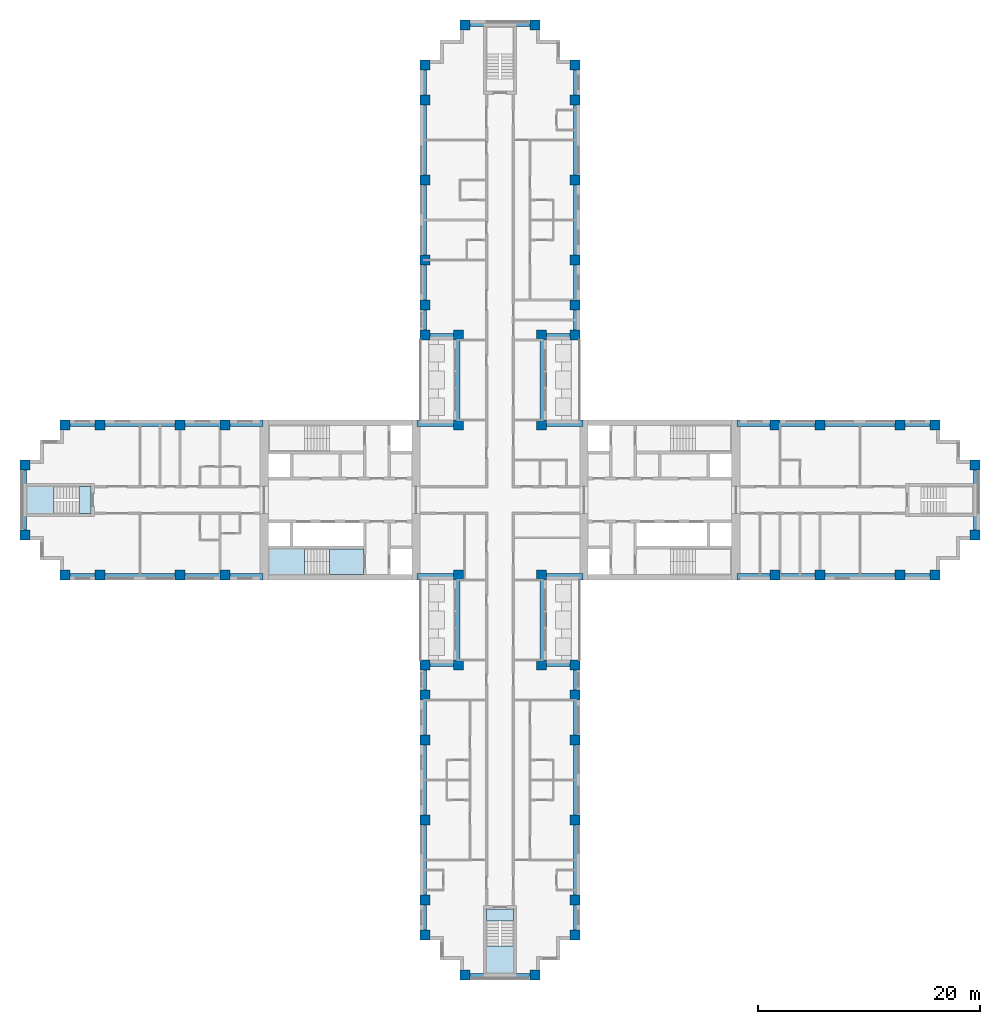
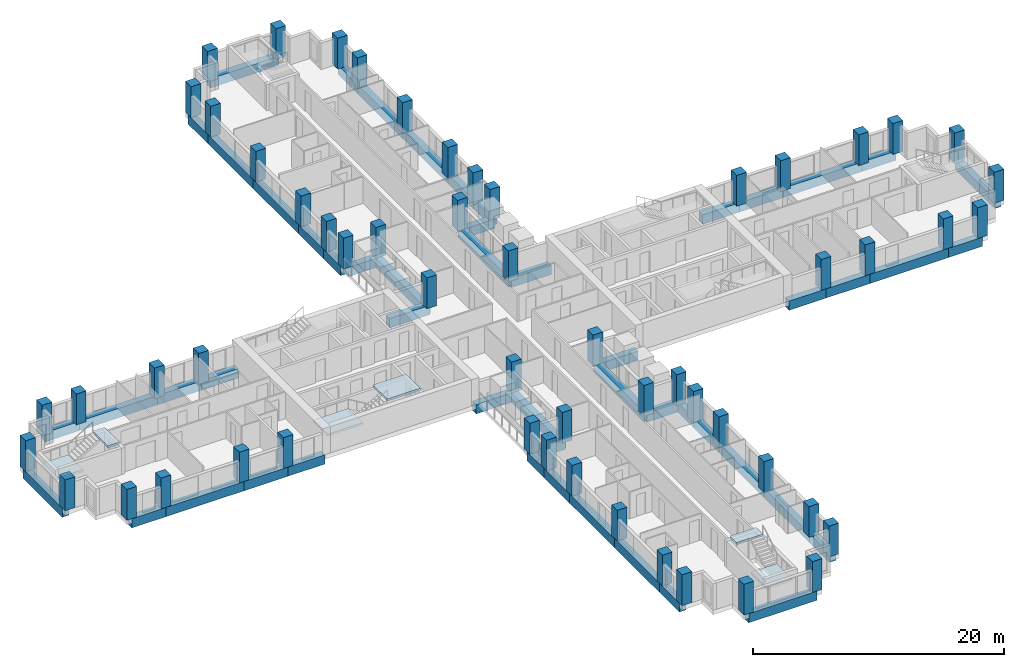
# One storey, part 1 of 15: 56 columns, 52 beams, 6 slabs, 3 elements without a shape of their own.
"""IFC4 building model written with IfcOpenShell, lengths in metres."""

from ifc_helpers import new_model, si_unit, direction, frame, origin, origin_2d, place, context, subcontext, project, spatial, polyline, rectangle, outline, extrude, material, layer, layer_set, material_profile, profile_set, type_object, element, aggregate, save


model = new_model("IFC4")

# Units and contexts
model_context = context("Model", 3, precision=1e-05, world=origin(), true_north=direction((0.0, 1.0)))
body_context = subcontext(model_context, "Body", "Model", "MODEL_VIEW")
ifc_project = project(units=[si_unit("LENGTHUNIT", "METRE"), si_unit("AREAUNIT", "SQUARE_METRE"), si_unit("VOLUMEUNIT", "CUBIC_METRE"), si_unit("PLANEANGLEUNIT", "RADIAN"), si_unit("MASSUNIT", "GRAM", prefix="KILO")], contexts=[model_context])

# Site, building, storey
site_placement = place(None, origin())
site = spatial("IfcSite", under=ifc_project, at=site_placement, CompositionType="ELEMENT")
building_placement = place(site_placement, origin())
building = spatial("IfcBuilding", under=site, at=building_placement, Name="Fustian Cross Tower", CompositionType="ELEMENT")
storey_placement = place(building_placement, frame((0.0, 0.0, 50.699951171875)))
storey = spatial("IfcBuildingStorey", under=building, at=storey_placement, Name="L15", CompositionType="ELEMENT", Elevation=50.699951171875)

# Columns
ifc_material_1 = material(Name="Concrete C70/85", Category="concrete")
ifc_material_profile_1 = material_profile(ifc_material_1, rectangle(XDim=0.89990234375, YDim=0.89990234375, at=origin_2d()), Name="RC 900x900")
ifc_profile_set_1 = profile_set([ifc_material_profile_1], Name="Concrete C70/85")
column_type = type_object("IfcColumnType", Name="COLUMN RC 900x900 C70/85", PredefinedType="COLUMN", material=ifc_profile_set_1)
for number, where, z_axis, x_axis, name in (
    (1, (-42.75, -3.14990234375, 0.0), (0.0, 0.0, 1.0), (1.0, 0.0, 0.0), "COLUMN 001"),
    (2, (-42.75, 3.14990234375, 0.0), (0.0, 0.0, 1.0), (1.0, 0.0, 0.0), "COLUMN 002"),
    (3, (-39.14990234375, -6.75, 0.0), (0.0, 0.0, 1.0), (1.0, 0.0, 0.0), "COLUMN 003"),
    (4, (-39.14990234375, 6.75, 0.0), (0.0, 0.0, 1.0), (1.0, 0.0, 0.0), "COLUMN 004"),
    (5, (-36.0, -6.75, 0.0), (0.0, 0.0, 1.0), (1.0, 0.0, 0.0), "COLUMN 005"),
    (6, (-36.0, 6.75, 0.0), (0.0, 0.0, 1.0), (1.0, 0.0, 0.0), "COLUMN 006"),
    (7, (-28.800048828125, -6.75, 0.0), (0.0, 0.0, 1.0), (1.0, 0.0, 0.0), "COLUMN 007"),
    (8, (-28.800048828125, 6.75, 0.0), (0.0, 0.0, 1.0), (1.0, 0.0, 0.0), "COLUMN 010"),
    (9, (-24.75, -6.75, 0.0), (0.0, 0.0, 1.0), (1.0, 0.0, 0.0), "COLUMN 011"),
    (10, (-24.75, 6.75, 0.0), (0.0, 0.0, 1.0), (1.0, 0.0, 0.0), "COLUMN 012"),
    (11, (-6.75, -39.14990234375, 0.0), (0.0, 0.0, 1.0), (1.0, 0.0, 0.0), "COLUMN 013"),
    (12, (-6.75, -36.0, 0.0), (0.0, 0.0, 1.0), (1.0, 0.0, 0.0), "COLUMN 014"),
    (13, (-6.75, -28.800048828125, 0.0), (0.0, 0.0, 1.0), (1.0, 0.0, 0.0), "COLUMN 015"),
    (14, (-6.75, -21.60009765625, 0.0), (0.0, 0.0, 1.0), (1.0, 0.0, 0.0), "COLUMN 016"),
    (15, (-6.75, -17.550048828125, 0.0), (0.0, 0.0, 1.0), (1.0, 0.0, 0.0), "COLUMN 017"),
    (16, (-6.75, -14.85009765625, 0.0), (0.0, 0.0, 1.0), (1.0, 0.0, 0.0), "COLUMN 018"),
    (17, (-6.75, 14.85009765625, 0.0), (0.0, 0.0, 1.0), (1.0, 0.0, 0.0), "COLUMN 019"),
    (18, (-6.75, 17.550048828125, 0.0), (0.0, 0.0, 1.0), (1.0, 0.0, 0.0), "COLUMN 020"),
    (19, (-6.75, 21.60009765625, 0.0), (0.0, 0.0, 1.0), (1.0, 0.0, 0.0), "COLUMN 021"),
    (20, (-6.75, 28.800048828125, 0.0), (0.0, 0.0, 1.0), (1.0, 0.0, 0.0), "COLUMN 022"),
    (21, (-6.75, 36.0, 0.0), (0.0, 0.0, 1.0), (1.0, 0.0, 0.0), "COLUMN 023"),
    (22, (-6.75, 39.14990234375, 0.0), (0.0, 0.0, 1.0), (1.0, 0.0, 0.0), "COLUMN 024"),
    (23, (-3.75, -14.85009765625, 0.0), (0.0, 0.0, 1.0), (1.0, 0.0, 0.0), "COLUMN 025"),
    (24, (-3.75, -6.75, 0.0), (0.0, 0.0, 1.0), (1.0, 0.0, 0.0), "COLUMN 026"),
    (25, (-3.75, 6.75, 0.0), (0.0, 0.0, 1.0), (1.0, 0.0, 0.0), "COLUMN 027"),
    (26, (-3.75, 14.85009765625, 0.0), (0.0, 0.0, 1.0), (1.0, 0.0, 0.0), "COLUMN 028"),
    (27, (-3.14990234375, -42.75, 0.0), (0.0, 0.0, 1.0), (1.0, 0.0, 0.0), "COLUMN 029"),
    (28, (-3.14990234375, 42.75, 0.0), (0.0, 0.0, 1.0), (1.0, 0.0, 0.0), "COLUMN 032"),
    (29, (3.14990234375, -42.75, 0.0), (0.0, 0.0, 1.0), (1.0, 0.0, 0.0), "COLUMN 033"),
    (30, (3.14990234375, 42.75, 0.0), (0.0, 0.0, 1.0), (1.0, 0.0, 0.0), "COLUMN 036"),
    (31, (3.75, -14.85009765625, 0.0), (0.0, 0.0, 1.0), (1.0, 0.0, 0.0), "COLUMN 037"),
    (32, (3.75, -6.75, 0.0), (0.0, 0.0, 1.0), (1.0, 0.0, 0.0), "COLUMN 038"),
    (33, (3.75, 6.75, 0.0), (0.0, 0.0, 1.0), (1.0, 0.0, 0.0), "COLUMN 039"),
    (34, (3.75, 14.85009765625, 0.0), (0.0, 0.0, 1.0), (1.0, 0.0, 0.0), "COLUMN 040"),
    (35, (6.75, -39.14990234375, 0.0), (0.0, 0.0, 1.0), (1.0, 0.0, 0.0), "COLUMN 041"),
    (36, (6.75, -36.0, 0.0), (0.0, 0.0, 1.0), (1.0, 0.0, 0.0), "COLUMN 042"),
    (37, (6.75, -28.800048828125, 0.0), (0.0, 0.0, 1.0), (1.0, 0.0, 0.0), "COLUMN 043"),
    (38, (6.75, -21.60009765625, 0.0), (0.0, 0.0, 1.0), (1.0, 0.0, 0.0), "COLUMN 044"),
    (39, (6.75, -17.550048828125, 0.0), (0.0, 0.0, 1.0), (1.0, 0.0, 0.0), "COLUMN 045"),
    (40, (6.75, -14.85009765625, 0.0), (0.0, 0.0, 1.0), (1.0, 0.0, 0.0), "COLUMN 046"),
    (41, (6.75, 14.85009765625, 0.0), (0.0, 0.0, 1.0), (1.0, 0.0, 0.0), "COLUMN 047"),
    (42, (6.75, 17.550048828125, 0.0), (0.0, 0.0, 1.0), (1.0, 0.0, 0.0), "COLUMN 048"),
    (43, (6.75, 21.60009765625, 0.0), (0.0, 0.0, 1.0), (1.0, 0.0, 0.0), "COLUMN 049"),
    (44, (6.75, 28.800048828125, 0.0), (0.0, 0.0, 1.0), (1.0, 0.0, 0.0), "COLUMN 050"),
    (45, (6.75, 36.0, 0.0), (0.0, 0.0, 1.0), (1.0, 0.0, 0.0), "COLUMN 051"),
    (46, (6.75, 39.14990234375, 0.0), (0.0, 0.0, 1.0), (1.0, 0.0, 0.0), "COLUMN 052"),
    (47, (24.75, -6.75, 0.0), (0.0, 0.0, 1.0), (1.0, 0.0, 0.0), "COLUMN 053"),
    (48, (24.75, 6.75, 0.0), (0.0, 0.0, 1.0), (1.0, 0.0, 0.0), "COLUMN 054"),
    (49, (28.800048828125, -6.75, 0.0), (0.0, 0.0, 1.0), (1.0, 0.0, 0.0), "COLUMN 055"),
    (50, (28.800048828125, 6.75, 0.0), (0.0, 0.0, 1.0), (1.0, 0.0, 0.0), "COLUMN 058"),
    (51, (36.0, -6.75, 0.0), (0.0, 0.0, 1.0), (1.0, 0.0, 0.0), "COLUMN 059"),
    (52, (36.0, 6.75, 0.0), (0.0, 0.0, 1.0), (1.0, 0.0, 0.0), "COLUMN 060"),
    (53, (39.14990234375, -6.75, 0.0), (0.0, 0.0, 1.0), (1.0, 0.0, 0.0), "COLUMN 061"),
    (54, (39.14990234375, 6.75, 0.0), (0.0, 0.0, 1.0), (1.0, 0.0, 0.0), "COLUMN 062"),
    (55, (42.75, -3.14990234375, 0.0), (0.0, 0.0, 1.0), (1.0, 0.0, 0.0), "COLUMN 063"),
    (56, (42.75, 3.14990234375, 0.0), (0.0, 0.0, 1.0), (1.0, 0.0, 0.0), "COLUMN 064"),
):
    element("IfcColumn", number, at=place(storey_placement, frame(where, z_axis=z_axis, x_axis=x_axis)), inside=storey, type_object=column_type, Name=name, PredefinedType="COLUMN", context=body_context, shape_type="SweptSolid", body=[
        extrude(rectangle(XDim=0.89990234375, YDim=0.89990234375, at=origin_2d()), origin(), (0.0, 0.0, 1.0), 3.0),
    ])

# Beams
ifc_material_2 = material(Name="Concrete C50/60", Category="concrete")
ifc_material_profile_2 = material_profile(ifc_material_2, rectangle(XDim=0.60009765625, YDim=0.89990234375, at=origin_2d()), Name="RC 600x900")
ifc_profile_set_2 = profile_set([ifc_material_profile_2], Name="Concrete C50/60")
beam_type = type_object("IfcBeamType", Name="EDGE BEAM RC 600x900 C50/60", PredefinedType="SPANDREL", material=ifc_profile_set_2)
beam_1_placement = place(storey_placement, frame((21.35009765625, -6.89990234375, -0.449951171875), z_axis=(1.0, 0.0, 0.0), x_axis=(0.0, 1.0, 0.0)))
element("IfcBeam", 57, at=beam_1_placement, inside=storey, type_object=beam_type, Name="EDGE BEAM L15-01", PredefinedType="SPANDREL", context=body_context, shape_type="SweptSolid", body=[
    extrude(rectangle(XDim=0.60009765625, YDim=0.89990234375, at=origin_2d()), origin(), (0.0, 0.0, 1.0), 3.39990234375),
])
beam_2_placement = place(storey_placement, frame((24.75, -6.89990234375, -0.449951171875), z_axis=(1.0, 0.0, 0.0), x_axis=(0.0, 1.0, 0.0)))
element("IfcBeam", 58, at=beam_2_placement, inside=storey, type_object=beam_type, Name="EDGE BEAM L15-02", PredefinedType="SPANDREL", context=body_context, shape_type="SweptSolid", body=[
    extrude(rectangle(XDim=0.60009765625, YDim=0.89990234375, at=origin_2d()), origin(), (0.0, 0.0, 1.0), 4.050048828125),
])
beam_3_placement = place(storey_placement, frame((28.800048828125, -6.89990234375, -0.449951171875), z_axis=(1.0, 0.0, 0.0), x_axis=(0.0, 1.0, 0.0)))
element("IfcBeam", 59, at=beam_3_placement, inside=storey, type_object=beam_type, Name="EDGE BEAM L15-03", PredefinedType="SPANDREL", context=body_context, shape_type="SweptSolid", body=[
    extrude(rectangle(XDim=0.60009765625, YDim=0.89990234375, at=origin_2d()), origin(), (0.0, 0.0, 1.0), 7.199951171875),
])
beam_4_placement = place(storey_placement, frame((36.0, -6.89990234375, -0.449951171875), z_axis=(1.0, 0.0, 0.0), x_axis=(0.0, 1.0, 0.0)))
element("IfcBeam", 60, at=beam_4_placement, inside=storey, type_object=beam_type, Name="EDGE BEAM L15-04", PredefinedType="SPANDREL", context=body_context, shape_type="SweptSolid", body=[
    extrude(rectangle(XDim=0.60009765625, YDim=0.89990234375, at=origin_2d()), origin(), (0.0, 0.0, 1.0), 3.14990234375),
])
beam_5_placement = place(storey_placement, frame((42.89990234375, -3.14990234375, -0.449951171875), z_axis=(0.0, 1.0, 0.0), x_axis=(-1.0, 0.0, 0.0)))
element("IfcBeam", 61, at=beam_5_placement, inside=storey, type_object=beam_type, Name="EDGE BEAM L15-05", PredefinedType="SPANDREL", context=body_context, shape_type="SweptSolid", body=[
    extrude(rectangle(XDim=0.60009765625, YDim=0.89990234375, at=origin_2d()), origin(), (0.0, 0.0, 1.0), 6.2998046875),
])
beam_6_placement = place(storey_placement, frame((39.14990234375, 6.89990234375, -0.449951171875), z_axis=(-1.0, 0.0, 0.0), x_axis=(0.0, -1.0, 0.0)))
element("IfcBeam", 62, at=beam_6_placement, inside=storey, type_object=beam_type, Name="EDGE BEAM L15-06", PredefinedType="SPANDREL", context=body_context, shape_type="SweptSolid", body=[
    extrude(rectangle(XDim=0.60009765625, YDim=0.89990234375, at=origin_2d()), origin(), (0.0, 0.0, 1.0), 3.14990234375),
])
beam_7_placement = place(storey_placement, frame((36.0, 6.89990234375, -0.449951171875), z_axis=(-1.0, 0.0, 0.0), x_axis=(0.0, -1.0, 0.0)))
element("IfcBeam", 63, at=beam_7_placement, inside=storey, type_object=beam_type, Name="EDGE BEAM L15-07", PredefinedType="SPANDREL", context=body_context, shape_type="SweptSolid", body=[
    extrude(rectangle(XDim=0.60009765625, YDim=0.89990234375, at=origin_2d()), origin(), (0.0, 0.0, 1.0), 7.199951171875),
])
beam_8_placement = place(storey_placement, frame((28.800048828125, 6.89990234375, -0.449951171875), z_axis=(-1.0, 0.0, 0.0), x_axis=(0.0, -1.0, 0.0)))
element("IfcBeam", 64, at=beam_8_placement, inside=storey, type_object=beam_type, Name="EDGE BEAM L15-08", PredefinedType="SPANDREL", context=body_context, shape_type="SweptSolid", body=[
    extrude(rectangle(XDim=0.60009765625, YDim=0.89990234375, at=origin_2d()), origin(), (0.0, 0.0, 1.0), 4.050048828125),
])
beam_9_placement = place(storey_placement, frame((24.75, 6.89990234375, -0.449951171875), z_axis=(-1.0, 0.0, 0.0), x_axis=(0.0, -1.0, 0.0)))
element("IfcBeam", 65, at=beam_9_placement, inside=storey, type_object=beam_type, Name="EDGE BEAM L15-09", PredefinedType="SPANDREL", context=body_context, shape_type="SweptSolid", body=[
    extrude(rectangle(XDim=0.60009765625, YDim=0.89990234375, at=origin_2d()), origin(), (0.0, 0.0, 1.0), 3.39990234375),
])
beam_10_placement = place(storey_placement, frame((7.449951171875, 6.89990234375, -0.449951171875), z_axis=(-1.0, 0.0, 0.0), x_axis=(0.0, -1.0, 0.0)))
element("IfcBeam", 66, at=beam_10_placement, inside=storey, type_object=beam_type, Name="EDGE BEAM L15-10", PredefinedType="SPANDREL", context=body_context, shape_type="SweptSolid", body=[
    extrude(rectangle(XDim=0.60009765625, YDim=0.89990234375, at=origin_2d()), origin(), (0.0, 0.0, 1.0), 3.699951171875),
])
beam_11_placement = place(storey_placement, frame((3.89990234375, 6.75, -0.449951171875), z_axis=(0.0, 1.0, 0.0), x_axis=(-1.0, 0.0, 0.0)))
element("IfcBeam", 67, at=beam_11_placement, inside=storey, type_object=beam_type, Name="EDGE BEAM L15-11", PredefinedType="SPANDREL", context=body_context, shape_type="SweptSolid", body=[
    extrude(rectangle(XDim=0.60009765625, YDim=0.89990234375, at=origin_2d()), origin(), (0.0, 0.0, 1.0), 8.10009765625),
])
beam_12_placement = place(storey_placement, frame((3.75, 14.699951171875, -0.449951171875), z_axis=(1.0, 0.0, 0.0), x_axis=(0.0, 1.0, 0.0)))
element("IfcBeam", 68, at=beam_12_placement, inside=storey, type_object=beam_type, Name="EDGE BEAM L15-12", PredefinedType="SPANDREL", context=body_context, shape_type="SweptSolid", body=[
    extrude(rectangle(XDim=0.60009765625, YDim=0.89990234375, at=origin_2d()), origin(), (0.0, 0.0, 1.0), 3.0),
])
beam_13_placement = place(storey_placement, frame((6.89990234375, 14.85009765625, -0.449951171875), z_axis=(0.0, 1.0, 0.0), x_axis=(-1.0, 0.0, 0.0)))
element("IfcBeam", 69, at=beam_13_placement, inside=storey, type_object=beam_type, Name="EDGE BEAM L15-13", PredefinedType="SPANDREL", context=body_context, shape_type="SweptSolid", body=[
    extrude(rectangle(XDim=0.60009765625, YDim=0.89990234375, at=origin_2d()), origin(), (0.0, 0.0, 1.0), 2.699951171875),
])
beam_14_placement = place(storey_placement, frame((6.89990234375, 17.550048828125, -0.449951171875), z_axis=(0.0, 1.0, 0.0), x_axis=(-1.0, 0.0, 0.0)))
element("IfcBeam", 70, at=beam_14_placement, inside=storey, type_object=beam_type, Name="EDGE BEAM L15-14", PredefinedType="SPANDREL", context=body_context, shape_type="SweptSolid", body=[
    extrude(rectangle(XDim=0.60009765625, YDim=0.89990234375, at=origin_2d()), origin(), (0.0, 0.0, 1.0), 4.050048828125),
])
for number, where, z_axis, x_axis, name in (
    (71, (6.89990234375, 21.60009765625, -0.449951171875), (0.0, 1.0, 0.0), (-1.0, 0.0, 0.0), "EDGE BEAM L15-15"),
    (72, (6.89990234375, 28.800048828125, -0.449951171875), (0.0, 1.0, 0.0), (-1.0, 0.0, 0.0), "EDGE BEAM L15-16"),
):
    element("IfcBeam", number, at=place(storey_placement, frame(where, z_axis=z_axis, x_axis=x_axis)), inside=storey, type_object=beam_type, Name=name, PredefinedType="SPANDREL", context=body_context, shape_type="SweptSolid", body=[
        extrude(rectangle(XDim=0.60009765625, YDim=0.89990234375, at=origin_2d()), origin(), (0.0, 0.0, 1.0), 7.199951171875),
    ])
beam_15_placement = place(storey_placement, frame((6.89990234375, 36.0, -0.449951171875), z_axis=(0.0, 1.0, 0.0), x_axis=(-1.0, 0.0, 0.0)))
element("IfcBeam", 73, at=beam_15_placement, inside=storey, type_object=beam_type, Name="EDGE BEAM L15-17", PredefinedType="SPANDREL", context=body_context, shape_type="SweptSolid", body=[
    extrude(rectangle(XDim=0.60009765625, YDim=0.89990234375, at=origin_2d()), origin(), (0.0, 0.0, 1.0), 3.14990234375),
])
beam_16_placement = place(storey_placement, frame((3.14990234375, 42.89990234375, -0.449951171875), z_axis=(-1.0, 0.0, 0.0), x_axis=(0.0, -1.0, 0.0)))
element("IfcBeam", 74, at=beam_16_placement, inside=storey, type_object=beam_type, Name="EDGE BEAM L15-18", PredefinedType="SPANDREL", context=body_context, shape_type="SweptSolid", body=[
    extrude(rectangle(XDim=0.60009765625, YDim=0.89990234375, at=origin_2d()), origin(), (0.0, 0.0, 1.0), 6.2998046875),
])
beam_17_placement = place(storey_placement, frame((-6.89990234375, 39.14990234375, -0.449951171875), z_axis=(0.0, -1.0, 0.0), x_axis=(1.0, 0.0, 0.0)))
element("IfcBeam", 75, at=beam_17_placement, inside=storey, type_object=beam_type, Name="EDGE BEAM L15-19", PredefinedType="SPANDREL", context=body_context, shape_type="SweptSolid", body=[
    extrude(rectangle(XDim=0.60009765625, YDim=0.89990234375, at=origin_2d()), origin(), (0.0, 0.0, 1.0), 3.14990234375),
])
for number, where, z_axis, x_axis, name in (
    (76, (-6.89990234375, 36.0, -0.449951171875), (0.0, -1.0, 0.0), (1.0, 0.0, 0.0), "EDGE BEAM L15-20"),
    (77, (-6.89990234375, 28.800048828125, -0.449951171875), (0.0, -1.0, 0.0), (1.0, 0.0, 0.0), "EDGE BEAM L15-21"),
):
    element("IfcBeam", number, at=place(storey_placement, frame(where, z_axis=z_axis, x_axis=x_axis)), inside=storey, type_object=beam_type, Name=name, PredefinedType="SPANDREL", context=body_context, shape_type="SweptSolid", body=[
        extrude(rectangle(XDim=0.60009765625, YDim=0.89990234375, at=origin_2d()), origin(), (0.0, 0.0, 1.0), 7.199951171875),
    ])
beam_18_placement = place(storey_placement, frame((-6.89990234375, 21.60009765625, -0.449951171875), z_axis=(0.0, -1.0, 0.0), x_axis=(1.0, 0.0, 0.0)))
element("IfcBeam", 78, at=beam_18_placement, inside=storey, type_object=beam_type, Name="EDGE BEAM L15-22", PredefinedType="SPANDREL", context=body_context, shape_type="SweptSolid", body=[
    extrude(rectangle(XDim=0.60009765625, YDim=0.89990234375, at=origin_2d()), origin(), (0.0, 0.0, 1.0), 4.050048828125),
])
beam_19_placement = place(storey_placement, frame((-6.89990234375, 17.550048828125, -0.449951171875), z_axis=(0.0, -1.0, 0.0), x_axis=(1.0, 0.0, 0.0)))
element("IfcBeam", 79, at=beam_19_placement, inside=storey, type_object=beam_type, Name="EDGE BEAM L15-23", PredefinedType="SPANDREL", context=body_context, shape_type="SweptSolid", body=[
    extrude(rectangle(XDim=0.60009765625, YDim=0.89990234375, at=origin_2d()), origin(), (0.0, 0.0, 1.0), 2.699951171875),
])
beam_20_placement = place(storey_placement, frame((-6.75, 14.699951171875, -0.449951171875), z_axis=(1.0, 0.0, 0.0), x_axis=(0.0, 1.0, 0.0)))
element("IfcBeam", 80, at=beam_20_placement, inside=storey, type_object=beam_type, Name="EDGE BEAM L15-24", PredefinedType="SPANDREL", context=body_context, shape_type="SweptSolid", body=[
    extrude(rectangle(XDim=0.60009765625, YDim=0.89990234375, at=origin_2d()), origin(), (0.0, 0.0, 1.0), 3.0),
])
beam_21_placement = place(storey_placement, frame((-3.89990234375, 14.85009765625, -0.449951171875), z_axis=(0.0, -1.0, 0.0), x_axis=(1.0, 0.0, 0.0)))
element("IfcBeam", 81, at=beam_21_placement, inside=storey, type_object=beam_type, Name="EDGE BEAM L15-25", PredefinedType="SPANDREL", context=body_context, shape_type="SweptSolid", body=[
    extrude(rectangle(XDim=0.60009765625, YDim=0.89990234375, at=origin_2d()), origin(), (0.0, 0.0, 1.0), 8.10009765625),
])
beam_22_placement = place(storey_placement, frame((-3.75, 6.89990234375, -0.449951171875), z_axis=(-1.0, 0.0, 0.0), x_axis=(0.0, -1.0, 0.0)))
element("IfcBeam", 82, at=beam_22_placement, inside=storey, type_object=beam_type, Name="EDGE BEAM L15-26", PredefinedType="SPANDREL", context=body_context, shape_type="SweptSolid", body=[
    extrude(rectangle(XDim=0.60009765625, YDim=0.89990234375, at=origin_2d()), origin(), (0.0, 0.0, 1.0), 3.699951171875),
])
beam_23_placement = place(storey_placement, frame((-21.35009765625, 6.89990234375, -0.449951171875), z_axis=(-1.0, 0.0, 0.0), x_axis=(0.0, -1.0, 0.0)))
element("IfcBeam", 83, at=beam_23_placement, inside=storey, type_object=beam_type, Name="EDGE BEAM L15-27", PredefinedType="SPANDREL", context=body_context, shape_type="SweptSolid", body=[
    extrude(rectangle(XDim=0.60009765625, YDim=0.89990234375, at=origin_2d()), origin(), (0.0, 0.0, 1.0), 3.39990234375),
])
beam_24_placement = place(storey_placement, frame((-24.75, 6.89990234375, -0.449951171875), z_axis=(-1.0, 0.0, 0.0), x_axis=(0.0, -1.0, 0.0)))
element("IfcBeam", 84, at=beam_24_placement, inside=storey, type_object=beam_type, Name="EDGE BEAM L15-28", PredefinedType="SPANDREL", context=body_context, shape_type="SweptSolid", body=[
    extrude(rectangle(XDim=0.60009765625, YDim=0.89990234375, at=origin_2d()), origin(), (0.0, 0.0, 1.0), 4.050048828125),
])
beam_25_placement = place(storey_placement, frame((-28.800048828125, 6.89990234375, -0.449951171875), z_axis=(-1.0, 0.0, 0.0), x_axis=(0.0, -1.0, 0.0)))
element("IfcBeam", 85, at=beam_25_placement, inside=storey, type_object=beam_type, Name="EDGE BEAM L15-29", PredefinedType="SPANDREL", context=body_context, shape_type="SweptSolid", body=[
    extrude(rectangle(XDim=0.60009765625, YDim=0.89990234375, at=origin_2d()), origin(), (0.0, 0.0, 1.0), 7.199951171875),
])
beam_26_placement = place(storey_placement, frame((-36.0, 6.89990234375, -0.449951171875), z_axis=(-1.0, 0.0, 0.0), x_axis=(0.0, -1.0, 0.0)))
element("IfcBeam", 86, at=beam_26_placement, inside=storey, type_object=beam_type, Name="EDGE BEAM L15-30", PredefinedType="SPANDREL", context=body_context, shape_type="SweptSolid", body=[
    extrude(rectangle(XDim=0.60009765625, YDim=0.89990234375, at=origin_2d()), origin(), (0.0, 0.0, 1.0), 3.14990234375),
])
beam_27_placement = place(storey_placement, frame((-42.89990234375, 3.14990234375, -0.449951171875), z_axis=(0.0, -1.0, 0.0), x_axis=(1.0, 0.0, 0.0)))
element("IfcBeam", 87, at=beam_27_placement, inside=storey, type_object=beam_type, Name="EDGE BEAM L15-31", PredefinedType="SPANDREL", context=body_context, shape_type="SweptSolid", body=[
    extrude(rectangle(XDim=0.60009765625, YDim=0.89990234375, at=origin_2d()), origin(), (0.0, 0.0, 1.0), 6.2998046875),
])
beam_28_placement = place(storey_placement, frame((-39.14990234375, -6.89990234375, -0.449951171875), z_axis=(1.0, 0.0, 0.0), x_axis=(0.0, 1.0, 0.0)))
element("IfcBeam", 88, at=beam_28_placement, inside=storey, type_object=beam_type, Name="EDGE BEAM L15-32", PredefinedType="SPANDREL", context=body_context, shape_type="SweptSolid", body=[
    extrude(rectangle(XDim=0.60009765625, YDim=0.89990234375, at=origin_2d()), origin(), (0.0, 0.0, 1.0), 3.14990234375),
])
beam_29_placement = place(storey_placement, frame((-36.0, -6.89990234375, -0.449951171875), z_axis=(1.0, 0.0, 0.0), x_axis=(0.0, 1.0, 0.0)))
element("IfcBeam", 89, at=beam_29_placement, inside=storey, type_object=beam_type, Name="EDGE BEAM L15-33", PredefinedType="SPANDREL", context=body_context, shape_type="SweptSolid", body=[
    extrude(rectangle(XDim=0.60009765625, YDim=0.89990234375, at=origin_2d()), origin(), (0.0, 0.0, 1.0), 7.199951171875),
])
beam_30_placement = place(storey_placement, frame((-28.800048828125, -6.89990234375, -0.449951171875), z_axis=(1.0, 0.0, 0.0), x_axis=(0.0, 1.0, 0.0)))
element("IfcBeam", 90, at=beam_30_placement, inside=storey, type_object=beam_type, Name="EDGE BEAM L15-34", PredefinedType="SPANDREL", context=body_context, shape_type="SweptSolid", body=[
    extrude(rectangle(XDim=0.60009765625, YDim=0.89990234375, at=origin_2d()), origin(), (0.0, 0.0, 1.0), 4.050048828125),
])
beam_31_placement = place(storey_placement, frame((-24.75, -6.89990234375, -0.449951171875), z_axis=(1.0, 0.0, 0.0), x_axis=(0.0, 1.0, 0.0)))
element("IfcBeam", 91, at=beam_31_placement, inside=storey, type_object=beam_type, Name="EDGE BEAM L15-35", PredefinedType="SPANDREL", context=body_context, shape_type="SweptSolid", body=[
    extrude(rectangle(XDim=0.60009765625, YDim=0.89990234375, at=origin_2d()), origin(), (0.0, 0.0, 1.0), 3.39990234375),
])
beam_32_placement = place(storey_placement, frame((-7.449951171875, -6.89990234375, -0.449951171875), z_axis=(1.0, 0.0, 0.0), x_axis=(0.0, 1.0, 0.0)))
element("IfcBeam", 92, at=beam_32_placement, inside=storey, type_object=beam_type, Name="EDGE BEAM L15-36", PredefinedType="SPANDREL", context=body_context, shape_type="SweptSolid", body=[
    extrude(rectangle(XDim=0.60009765625, YDim=0.89990234375, at=origin_2d()), origin(), (0.0, 0.0, 1.0), 3.699951171875),
])
beam_33_placement = place(storey_placement, frame((-3.89990234375, -6.75, -0.449951171875), z_axis=(0.0, -1.0, 0.0), x_axis=(1.0, 0.0, 0.0)))
element("IfcBeam", 93, at=beam_33_placement, inside=storey, type_object=beam_type, Name="EDGE BEAM L15-37", PredefinedType="SPANDREL", context=body_context, shape_type="SweptSolid", body=[
    extrude(rectangle(XDim=0.60009765625, YDim=0.89990234375, at=origin_2d()), origin(), (0.0, 0.0, 1.0), 8.10009765625),
])
beam_34_placement = place(storey_placement, frame((-3.75, -14.699951171875, -0.449951171875), z_axis=(-1.0, 0.0, 0.0), x_axis=(0.0, -1.0, 0.0)))
element("IfcBeam", 94, at=beam_34_placement, inside=storey, type_object=beam_type, Name="EDGE BEAM L15-38", PredefinedType="SPANDREL", context=body_context, shape_type="SweptSolid", body=[
    extrude(rectangle(XDim=0.60009765625, YDim=0.89990234375, at=origin_2d()), origin(), (0.0, 0.0, 1.0), 3.0),
])
beam_35_placement = place(storey_placement, frame((-6.89990234375, -14.85009765625, -0.449951171875), z_axis=(0.0, -1.0, 0.0), x_axis=(1.0, 0.0, 0.0)))
element("IfcBeam", 95, at=beam_35_placement, inside=storey, type_object=beam_type, Name="EDGE BEAM L15-39", PredefinedType="SPANDREL", context=body_context, shape_type="SweptSolid", body=[
    extrude(rectangle(XDim=0.60009765625, YDim=0.89990234375, at=origin_2d()), origin(), (0.0, 0.0, 1.0), 2.699951171875),
])
beam_36_placement = place(storey_placement, frame((-6.89990234375, -17.550048828125, -0.449951171875), z_axis=(0.0, -1.0, 0.0), x_axis=(1.0, 0.0, 0.0)))
element("IfcBeam", 96, at=beam_36_placement, inside=storey, type_object=beam_type, Name="EDGE BEAM L15-40", PredefinedType="SPANDREL", context=body_context, shape_type="SweptSolid", body=[
    extrude(rectangle(XDim=0.60009765625, YDim=0.89990234375, at=origin_2d()), origin(), (0.0, 0.0, 1.0), 4.050048828125),
])
for number, where, z_axis, x_axis, name in (
    (97, (-6.89990234375, -21.60009765625, -0.449951171875), (0.0, -1.0, 0.0), (1.0, 0.0, 0.0), "EDGE BEAM L15-41"),
    (98, (-6.89990234375, -28.800048828125, -0.449951171875), (0.0, -1.0, 0.0), (1.0, 0.0, 0.0), "EDGE BEAM L15-42"),
):
    element("IfcBeam", number, at=place(storey_placement, frame(where, z_axis=z_axis, x_axis=x_axis)), inside=storey, type_object=beam_type, Name=name, PredefinedType="SPANDREL", context=body_context, shape_type="SweptSolid", body=[
        extrude(rectangle(XDim=0.60009765625, YDim=0.89990234375, at=origin_2d()), origin(), (0.0, 0.0, 1.0), 7.199951171875),
    ])
beam_37_placement = place(storey_placement, frame((-6.89990234375, -36.0, -0.449951171875), z_axis=(0.0, -1.0, 0.0), x_axis=(1.0, 0.0, 0.0)))
element("IfcBeam", 99, at=beam_37_placement, inside=storey, type_object=beam_type, Name="EDGE BEAM L15-43", PredefinedType="SPANDREL", context=body_context, shape_type="SweptSolid", body=[
    extrude(rectangle(XDim=0.60009765625, YDim=0.89990234375, at=origin_2d()), origin(), (0.0, 0.0, 1.0), 3.14990234375),
])
beam_38_placement = place(storey_placement, frame((-3.14990234375, -42.89990234375, -0.449951171875), z_axis=(1.0, 0.0, 0.0), x_axis=(0.0, 1.0, 0.0)))
element("IfcBeam", 100, at=beam_38_placement, inside=storey, type_object=beam_type, Name="EDGE BEAM L15-44", PredefinedType="SPANDREL", context=body_context, shape_type="SweptSolid", body=[
    extrude(rectangle(XDim=0.60009765625, YDim=0.89990234375, at=origin_2d()), origin(), (0.0, 0.0, 1.0), 6.2998046875),
])
beam_39_placement = place(storey_placement, frame((6.89990234375, -39.14990234375, -0.449951171875), z_axis=(0.0, 1.0, 0.0), x_axis=(-1.0, 0.0, 0.0)))
element("IfcBeam", 101, at=beam_39_placement, inside=storey, type_object=beam_type, Name="EDGE BEAM L15-45", PredefinedType="SPANDREL", context=body_context, shape_type="SweptSolid", body=[
    extrude(rectangle(XDim=0.60009765625, YDim=0.89990234375, at=origin_2d()), origin(), (0.0, 0.0, 1.0), 3.14990234375),
])
for number, where, z_axis, x_axis, name in (
    (102, (6.89990234375, -36.0, -0.449951171875), (0.0, 1.0, 0.0), (-1.0, 0.0, 0.0), "EDGE BEAM L15-46"),
    (103, (6.89990234375, -28.800048828125, -0.449951171875), (0.0, 1.0, 0.0), (-1.0, 0.0, 0.0), "EDGE BEAM L15-47"),
):
    element("IfcBeam", number, at=place(storey_placement, frame(where, z_axis=z_axis, x_axis=x_axis)), inside=storey, type_object=beam_type, Name=name, PredefinedType="SPANDREL", context=body_context, shape_type="SweptSolid", body=[
        extrude(rectangle(XDim=0.60009765625, YDim=0.89990234375, at=origin_2d()), origin(), (0.0, 0.0, 1.0), 7.199951171875),
    ])
beam_40_placement = place(storey_placement, frame((6.89990234375, -21.60009765625, -0.449951171875), z_axis=(0.0, 1.0, 0.0), x_axis=(-1.0, 0.0, 0.0)))
element("IfcBeam", 104, at=beam_40_placement, inside=storey, type_object=beam_type, Name="EDGE BEAM L15-48", PredefinedType="SPANDREL", context=body_context, shape_type="SweptSolid", body=[
    extrude(rectangle(XDim=0.60009765625, YDim=0.89990234375, at=origin_2d()), origin(), (0.0, 0.0, 1.0), 4.050048828125),
])
beam_41_placement = place(storey_placement, frame((6.89990234375, -17.550048828125, -0.449951171875), z_axis=(0.0, 1.0, 0.0), x_axis=(-1.0, 0.0, 0.0)))
element("IfcBeam", 105, at=beam_41_placement, inside=storey, type_object=beam_type, Name="EDGE BEAM L15-49", PredefinedType="SPANDREL", context=body_context, shape_type="SweptSolid", body=[
    extrude(rectangle(XDim=0.60009765625, YDim=0.89990234375, at=origin_2d()), origin(), (0.0, 0.0, 1.0), 2.699951171875),
])
beam_42_placement = place(storey_placement, frame((6.75, -14.699951171875, -0.449951171875), z_axis=(-1.0, 0.0, 0.0), x_axis=(0.0, -1.0, 0.0)))
element("IfcBeam", 106, at=beam_42_placement, inside=storey, type_object=beam_type, Name="EDGE BEAM L15-50", PredefinedType="SPANDREL", context=body_context, shape_type="SweptSolid", body=[
    extrude(rectangle(XDim=0.60009765625, YDim=0.89990234375, at=origin_2d()), origin(), (0.0, 0.0, 1.0), 3.0),
])
beam_43_placement = place(storey_placement, frame((3.89990234375, -14.85009765625, -0.449951171875), z_axis=(0.0, 1.0, 0.0), x_axis=(-1.0, 0.0, 0.0)))
element("IfcBeam", 107, at=beam_43_placement, inside=storey, type_object=beam_type, Name="EDGE BEAM L15-51", PredefinedType="SPANDREL", context=body_context, shape_type="SweptSolid", body=[
    extrude(rectangle(XDim=0.60009765625, YDim=0.89990234375, at=origin_2d()), origin(), (0.0, 0.0, 1.0), 8.10009765625),
])
beam_44_placement = place(storey_placement, frame((3.75, -6.89990234375, -0.449951171875), z_axis=(1.0, 0.0, 0.0), x_axis=(0.0, 1.0, 0.0)))
element("IfcBeam", 108, at=beam_44_placement, inside=storey, type_object=beam_type, Name="EDGE BEAM L15-52", PredefinedType="SPANDREL", context=body_context, shape_type="SweptSolid", body=[
    extrude(rectangle(XDim=0.60009765625, YDim=0.89990234375, at=origin_2d()), origin(), (0.0, 0.0, 1.0), 3.699951171875),
])

# Stair, slabs
ifc_material_3 = material(Name="Concrete C50/60", Category="concrete")
stair_type_1 = type_object("IfcStairType", Name="STAIR 1150 HALF TURN", PredefinedType="HALF_TURN_STAIR", material=ifc_material_3)
stair_1_placement = place(storey_placement, origin())
stair_1 = element("IfcStair", 109, at=stair_1_placement, inside=storey, type_object=stair_type_1, Name="Stair ST4", PredefinedType="HALF_TURN_STAIR")
ifc_material_4 = material(Name="Concrete C50/60", Category="concrete")
ifc_layer = layer(ifc_material_4, 0.199951171875)
ifc_layer_set = layer_set([ifc_layer], Name="Concrete C50/60")
slab_type = type_object("IfcSlabType", Name="STAIR LANDING", PredefinedType="LANDING", material=ifc_layer_set)
slab_1_placement = place(storey_placement, frame((0.0, 0.0, 1.300048828125)))
slab_1 = element("IfcSlab", 110, at=slab_1_placement, type_object=slab_type, Name="ST4 landing 1", PredefinedType="LANDING", context=body_context, shape_type="SweptSolid", body=[
    extrude(outline(polyline([(-17.590087890625, -4.39990234375), (-20.85009765625, -4.39990234375), (-20.85009765625, -6.699951171875), (-17.590087890625, -6.699951171875), (-17.590087890625, -4.39990234375)])), origin(), (0.0, 0.0, 1.0), 0.199951171875),
])
slab_2_placement = place(storey_placement, frame((0.0, 0.0, 2.800048828125)))
slab_2 = element("IfcSlab", 111, at=slab_2_placement, type_object=slab_type, Name="ST4 landing 2", PredefinedType="LANDING", context=body_context, shape_type="SweptSolid", body=[
    extrude(outline(polyline([(-12.300048828125, -4.39990234375), (-15.35009765625, -4.39990234375), (-15.35009765625, -6.699951171875), (-12.300048828125, -6.699951171875), (-12.300048828125, -4.39990234375)])), origin(), (0.0, 0.0, 1.0), 0.199951171875),
])
aggregate(stair_1, [slab_1, slab_2])

ifc_material_5 = material(Name="Concrete C50/60", Category="concrete")
stair_type_2 = type_object("IfcStairType", Name="STAIR 1100 HALF TURN", PredefinedType="HALF_TURN_STAIR", material=ifc_material_5)
stair_2_placement = place(storey_placement, origin())
stair_2 = element("IfcStair", 112, at=stair_2_placement, inside=storey, type_object=stair_type_2, Name="Stair ST6", PredefinedType="HALF_TURN_STAIR")
slab_3_placement = place(storey_placement, frame((0.0, 0.0, 1.300048828125)))
slab_3 = element("IfcSlab", 113, at=slab_3_placement, type_object=slab_type, Name="ST6 landing 1", PredefinedType="LANDING", context=body_context, shape_type="SweptSolid", body=[
    extrude(outline(polyline([(-1.199951171875, -40.139892578125), (-1.199951171875, -42.60009765625), (1.199951171875, -42.60009765625), (1.199951171875, -40.139892578125), (-1.199951171875, -40.139892578125)])), origin(), (0.0, 0.0, 1.0), 0.199951171875),
])
slab_4_placement = place(storey_placement, frame((0.0, 0.0, 2.800048828125)))
slab_4 = element("IfcSlab", 114, at=slab_4_placement, type_object=slab_type, Name="ST6 landing 2", PredefinedType="LANDING", context=body_context, shape_type="SweptSolid", body=[
    extrude(outline(polyline([(-1.199951171875, -36.800048828125), (-1.199951171875, -37.89990234375), (1.199951171875, -37.89990234375), (1.199951171875, -36.800048828125), (-1.199951171875, -36.800048828125)])), origin(), (0.0, 0.0, 1.0), 0.199951171875),
])
aggregate(stair_2, [slab_3, slab_4])

stair_3_placement = place(storey_placement, origin())
stair_3 = element("IfcStair", 115, at=stair_3_placement, inside=storey, type_object=stair_type_2, Name="Stair ST9", PredefinedType="HALF_TURN_STAIR")
slab_5_placement = place(storey_placement, frame((0.0, 0.0, 1.300048828125)))
slab_5 = element("IfcSlab", 116, at=slab_5_placement, type_object=slab_type, Name="ST9 landing 1", PredefinedType="LANDING", context=body_context, shape_type="SweptSolid", body=[
    extrude(outline(polyline([(-40.139892578125, -1.199951171875), (-42.60009765625, -1.199951171875), (-42.60009765625, 1.199951171875), (-40.139892578125, 1.199951171875), (-40.139892578125, -1.199951171875)])), origin(), (0.0, 0.0, 1.0), 0.199951171875),
])
slab_6_placement = place(storey_placement, frame((0.0, 0.0, 2.800048828125)))
slab_6 = element("IfcSlab", 117, at=slab_6_placement, type_object=slab_type, Name="ST9 landing 2", PredefinedType="LANDING", context=body_context, shape_type="SweptSolid", body=[
    extrude(outline(polyline([(-36.800048828125, -1.199951171875), (-37.89990234375, -1.199951171875), (-37.89990234375, 1.199951171875), (-36.800048828125, 1.199951171875), (-36.800048828125, -1.199951171875)])), origin(), (0.0, 0.0, 1.0), 0.199951171875),
])
aggregate(stair_3, [slab_5, slab_6])

save(model, "model.ifc")
